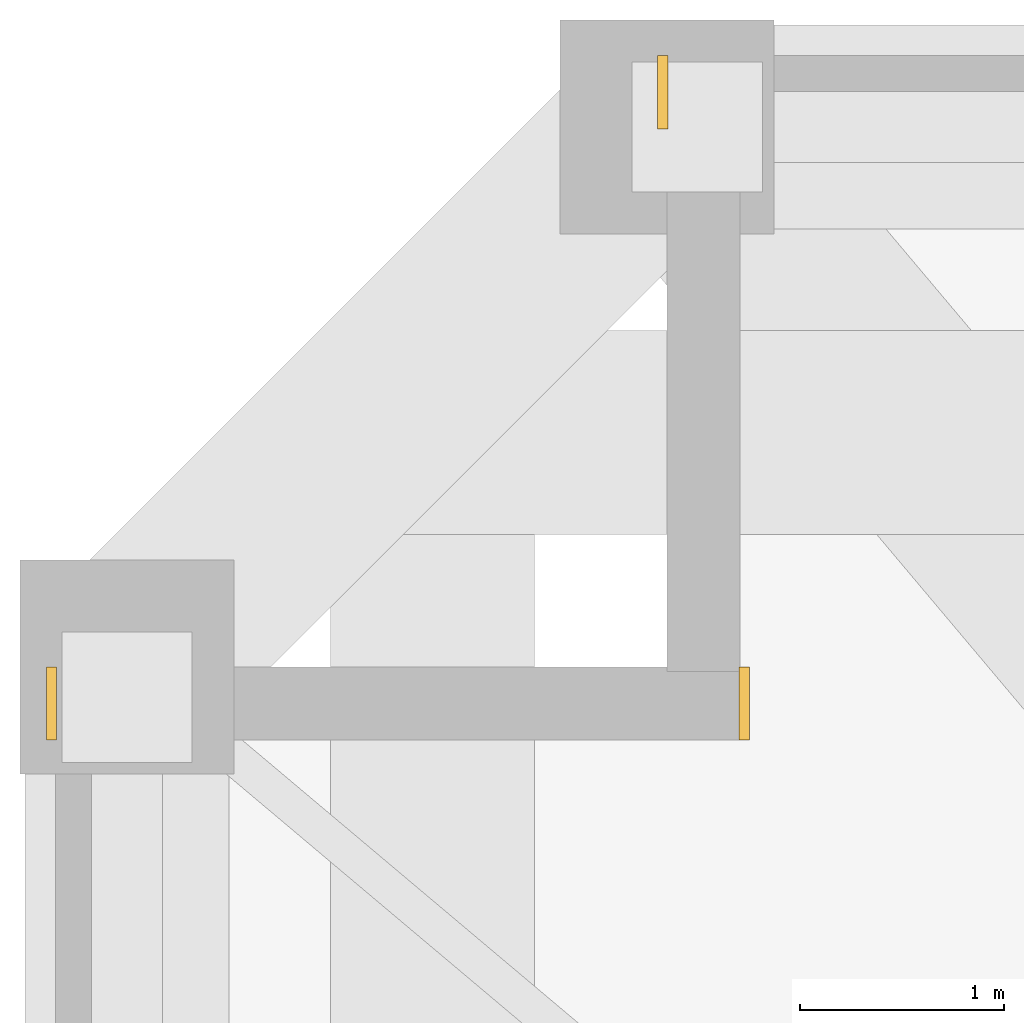
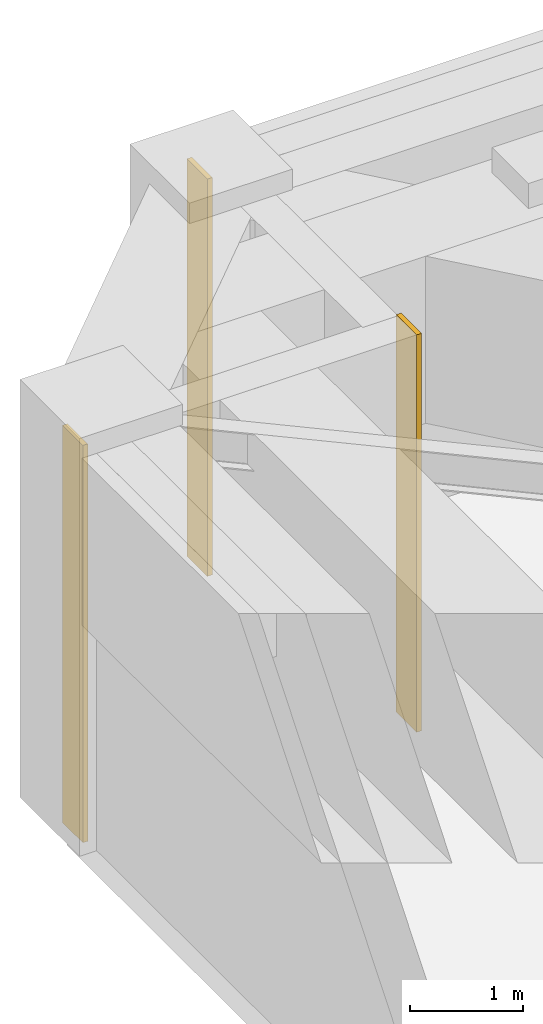
# One storey, part 12 of 13: 3 coverings.
"""IFC4 building model written with IfcOpenShell, lengths in metres."""

from ifc_helpers import new_model, si_unit, direction, frame, frame_2d, origin, place, context, subcontext, project, spatial, rectangle, extrude, material, layer, layer_set, type_object, element, save


model = new_model("IFC4")

# Units and contexts
model_context = context("Model", 3, precision=1e-05, world=origin(), true_north=direction((0.0, 1.0)))
body_context = subcontext(model_context, "Body", "Model", "MODEL_VIEW")
ifc_project = project(units=[si_unit("LENGTHUNIT", "METRE"), si_unit("AREAUNIT", "SQUARE_METRE"), si_unit("VOLUMEUNIT", "CUBIC_METRE"), si_unit("PLANEANGLEUNIT", "RADIAN"), si_unit("MASSUNIT", "GRAM", prefix="KILO")], contexts=[model_context])

# Site, building, storey
site_placement = place(None, origin())
site = spatial("IfcSite", under=ifc_project, at=site_placement, CompositionType="ELEMENT")
building_placement = place(site_placement, origin())
building = spatial("IfcBuilding", under=site, at=building_placement, Name="Cairnveth Concourse Tower", CompositionType="ELEMENT")
storey_placement = place(building_placement, frame((0.0, 0.0, 97.0)))
storey = spatial("IfcBuildingStorey", under=building, at=storey_placement, Name="L26", CompositionType="ELEMENT", Elevation=97.0)

# Coverings
ifc_material = material(Name="Dressed Melbourne Bluestone Cladding", Category="masonry")
ifc_layer = layer(ifc_material, 0.050048828125)
ifc_layer_set = layer_set([ifc_layer], Name="Dressed Melbourne Bluestone Cladding")
covering_type = type_object("IfcCoveringType", Name="DRESSED BLUESTONE PLINTH CLADDING 50", PredefinedType="CLADDING", material=ifc_layer_set)
for number, where, z_axis, x_axis, name in (
    (1, (26.47998046875, 61.139892578125, 0.0), (0.0, 0.0, 1.0), (0.0, 1.0, 0.0), "Melbourne Bluestone Corner Quoin L26-362"),
    (2, (29.8798828125, 61.139892578125, 0.0), (0.0, 0.0, 1.0), (0.0, 1.0, 0.0), "Melbourne Bluestone Corner Quoin L26-363"),
    (3, (29.47998046875, 64.139892578125, 0.0), (0.0, 0.0, 1.0), (0.0, 1.0, 0.0), "Melbourne Bluestone Corner Quoin L26-364"),
):
    element("IfcCovering", number, at=place(storey_placement, frame(where, z_axis=z_axis, x_axis=x_axis)), inside=storey, type_object=covering_type, Name=name, PredefinedType="CLADDING", context=body_context, shape_type="SweptSolid", body=[
        extrude(rectangle(XDim=0.360107421875, YDim=0.050048828125, at=frame_2d((0.18017578125, 0.0))), origin(), (0.0, 0.0, 1.0), 4.280029296875),
    ])

save(model, "model.ifc")
